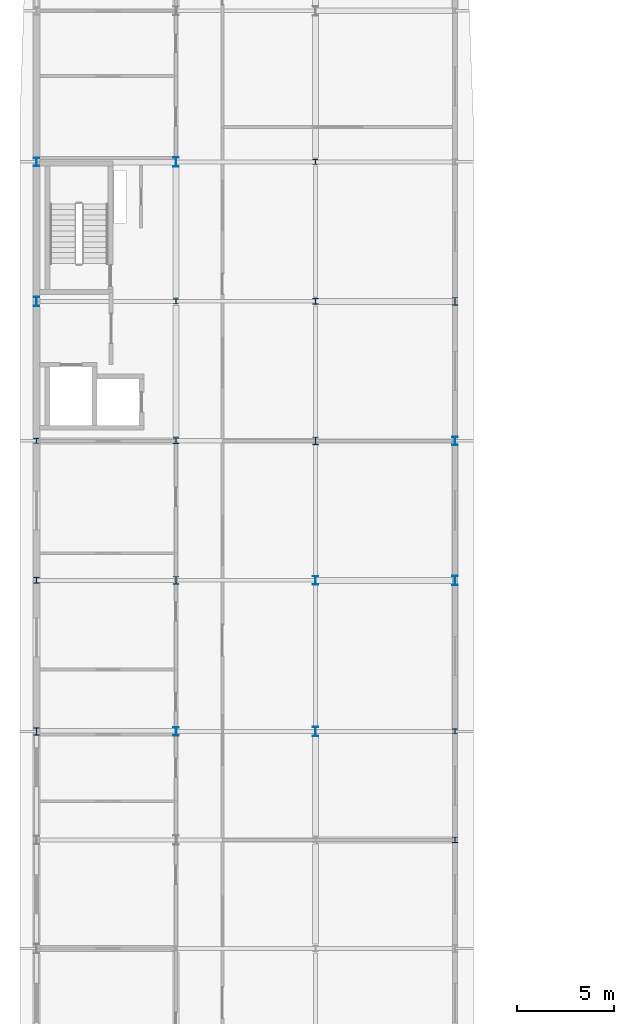
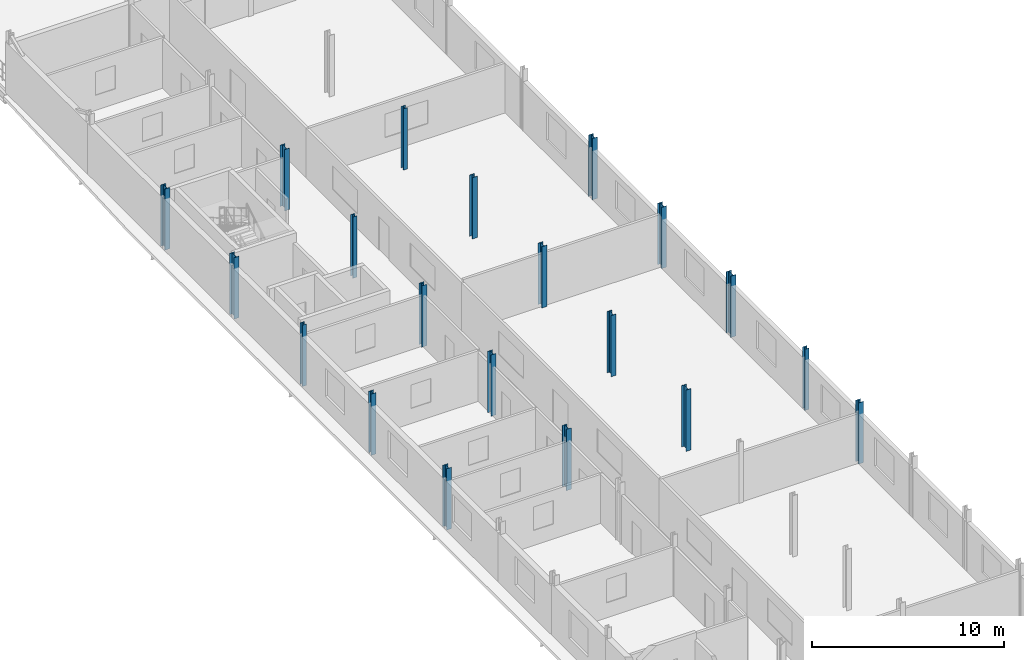
# One storey, part 2 of 17: 20 columns.
"""IFC4 building model written with IfcOpenShell, lengths in metres."""

from ifc_helpers import new_model, si_unit, direction, frame, origin, origin_2d, place, context, subcontext, project, spatial, i_section, extrude, material, material_profile, profile_set, type_object, element, save


model = new_model("IFC4")

# Units and contexts
model_context = context("Model", 3, precision=1e-05, world=origin(), true_north=direction((0.0, 1.0)))
body_context = subcontext(model_context, "Body", "Model", "MODEL_VIEW")
ifc_project = project(units=[si_unit("LENGTHUNIT", "METRE"), si_unit("AREAUNIT", "SQUARE_METRE"), si_unit("VOLUMEUNIT", "CUBIC_METRE"), si_unit("PLANEANGLEUNIT", "RADIAN"), si_unit("MASSUNIT", "GRAM", prefix="KILO")], contexts=[model_context])

# Site, building, storey
site_placement = place(None, origin())
site = spatial("IfcSite", under=ifc_project, at=site_placement, CompositionType="ELEMENT")
building_placement = place(site_placement, origin())
building = spatial("IfcBuilding", under=site, at=building_placement, Name="Vinh Khe Railworks Police Headquarters", CompositionType="ELEMENT")
storey_placement = place(building_placement, frame((0.0, 0.0, 24.89990234375)))
storey = spatial("IfcBuildingStorey", under=building, at=storey_placement, Name="L06", CompositionType="ELEMENT", Elevation=24.89990234375)

# Columns
ifc_material = material(Name="Steel S355JR", Category="steel")
ifc_material_profile_1 = material_profile(ifc_material, i_section(OverallWidth=0.300048828125, OverallDepth=0.389892578125, WebThickness=0.010986328125, FlangeThickness=0.01904296875, FilletRadius=0.027099609375, at=origin_2d()), Name="HEA 400")
ifc_profile_set_1 = profile_set([ifc_material_profile_1], Name="Steel S355JR")
column_type_1 = type_object("IfcColumnType", Name="Steel Column HEA 400", PredefinedType="COLUMN", material=ifc_profile_set_1)
for number, where, z_axis, x_axis, name in (
    (1, (0.60009765625, 58.800048828125, 0.0), (0.0, 0.0, 1.0), (1.0, 0.0, 0.0), "Column COL-L06-SC-15-0084"),
    (2, (7.800048828125, 66.60009765625, 0.0), (0.0, 0.0, 1.0), (1.0, 0.0, 0.0), "Column COL-L06-SC-15-0261"),
    (3, (15.0, 73.800048828125, 0.0), (0.0, 0.0, 1.0), (1.0, 0.0, 0.0), "Column COL-L06-SC-15-0438"),
    (4, (22.199951171875, 81.0, 0.0), (0.0, 0.0, 1.0), (1.0, 0.0, 0.0), "Column COL-L06-SC-15-0605"),
):
    element("IfcColumn", number, at=place(storey_placement, frame(where, z_axis=z_axis, x_axis=x_axis)), inside=storey, type_object=column_type_1, Name=name, PredefinedType="COLUMN", context=body_context, shape_type="SweptSolid", body=[
        extrude(i_section(OverallWidth=0.300048828125, OverallDepth=0.389892578125, WebThickness=0.010986328125, FlangeThickness=0.01904296875, FilletRadius=0.027099609375, at=origin_2d()), origin(), (0.0, 0.0, 1.0), 3.900146484375),
    ])
ifc_material_profile_2 = material_profile(ifc_material, i_section(OverallWidth=0.300048828125, OverallDepth=0.43994140625, WebThickness=0.011474609375, FlangeThickness=0.02099609375, FilletRadius=0.027099609375, at=origin_2d()), Name="HEA 450")
ifc_profile_set_2 = profile_set([ifc_material_profile_2], Name="Steel S355JR")
column_type_2 = type_object("IfcColumnType", Name="Steel Column HEA 450", PredefinedType="COLUMN", material=ifc_profile_set_2)
for number, where, z_axis, x_axis, name in (
    (5, (0.60009765625, 88.199951171875, 0.0), (0.0, 0.0, 1.0), (1.0, 0.0, 0.0), "Column COL-L06-SC-14-0124"),
    (6, (7.800048828125, 58.800048828125, 0.0), (0.0, 0.0, 1.0), (1.0, 0.0, 0.0), "Column COL-L06-SC-14-0251"),
    (7, (15.0, 66.60009765625, 0.0), (0.0, 0.0, 1.0), (1.0, 0.0, 0.0), "Column COL-L06-SC-14-0428"),
    (8, (22.199951171875, 73.800048828125, 0.0), (0.0, 0.0, 1.0), (1.0, 0.0, 0.0), "Column COL-L06-SC-14-0596"),
):
    element("IfcColumn", number, at=place(storey_placement, frame(where, z_axis=z_axis, x_axis=x_axis)), inside=storey, type_object=column_type_2, Name=name, PredefinedType="COLUMN", context=body_context, shape_type="SweptSolid", body=[
        extrude(i_section(OverallWidth=0.300048828125, OverallDepth=0.43994140625, WebThickness=0.011474609375, FlangeThickness=0.02099609375, FilletRadius=0.027099609375, at=origin_2d()), origin(), (0.0, 0.0, 1.0), 3.900146484375),
    ])
ifc_material_profile_3 = material_profile(ifc_material, i_section(OverallWidth=0.300048828125, OverallDepth=0.489990234375, WebThickness=0.011962890625, FlangeThickness=0.02294921875, FilletRadius=0.027099609375, at=origin_2d()), Name="HEA 500")
ifc_profile_set_3 = profile_set([ifc_material_profile_3], Name="Steel S355JR")
column_type_3 = type_object("IfcColumnType", Name="Steel Column HEA 500", PredefinedType="COLUMN", material=ifc_profile_set_3)
for number, where, z_axis, x_axis, name in (
    (9, (0.60009765625, 81.0, 0.0), (0.0, 0.0, 1.0), (1.0, 0.0, 0.0), "Column COL-L06-SC-13-0114"),
    (10, (7.800048828125, 88.199951171875, 0.0), (0.0, 0.0, 1.0), (1.0, 0.0, 0.0), "Column COL-L06-SC-13-0291"),
    (11, (15.0, 58.800048828125, 0.0), (0.0, 0.0, 1.0), (1.0, 0.0, 0.0), "Column COL-L06-SC-13-0418"),
    (12, (22.199951171875, 66.60009765625, 0.0), (0.0, 0.0, 1.0), (1.0, 0.0, 0.0), "Column COL-L06-SC-13-0587"),
):
    element("IfcColumn", number, at=place(storey_placement, frame(where, z_axis=z_axis, x_axis=x_axis)), inside=storey, type_object=column_type_3, Name=name, PredefinedType="COLUMN", context=body_context, shape_type="SweptSolid", body=[
        extrude(i_section(OverallWidth=0.300048828125, OverallDepth=0.489990234375, WebThickness=0.011962890625, FlangeThickness=0.02294921875, FilletRadius=0.027099609375, at=origin_2d()), origin(), (0.0, 0.0, 1.0), 3.900146484375),
    ])
ifc_material_profile_4 = material_profile(ifc_material, i_section(OverallWidth=0.260009765625, OverallDepth=0.260009765625, WebThickness=0.010009765625, FlangeThickness=0.017578125, FilletRadius=0.02392578125, at=origin_2d()), Name="HEB 260")
ifc_profile_set_4 = profile_set([ifc_material_profile_4], Name="Steel S355JR")
column_type_4 = type_object("IfcColumnType", Name="Steel Column HEB 260", PredefinedType="COLUMN", material=ifc_profile_set_4)
for number, where, z_axis, x_axis, name in (
    (13, (0.60009765625, 73.800048828125, 0.0), (0.0, 0.0, 1.0), (1.0, 0.0, 0.0), "Column COL-L06-SC-12-0104"),
    (14, (7.800048828125, 81.0, 0.0), (0.0, 0.0, 1.0), (1.0, 0.0, 0.0), "Column COL-L06-SC-12-0281"),
    (15, (15.0, 88.199951171875, 0.0), (0.0, 0.0, 1.0), (1.0, 0.0, 0.0), "Column COL-L06-SC-12-0458"),
    (16, (22.199951171875, 58.800048828125, 0.0), (0.0, 0.0, 1.0), (1.0, 0.0, 0.0), "Column COL-L06-SC-12-0578"),
):
    element("IfcColumn", number, at=place(storey_placement, frame(where, z_axis=z_axis, x_axis=x_axis)), inside=storey, type_object=column_type_4, Name=name, PredefinedType="COLUMN", context=body_context, shape_type="SweptSolid", body=[
        extrude(i_section(OverallWidth=0.260009765625, OverallDepth=0.260009765625, WebThickness=0.010009765625, FlangeThickness=0.017578125, FilletRadius=0.02392578125, at=origin_2d()), origin(), (0.0, 0.0, 1.0), 3.900146484375),
    ])
ifc_material_profile_5 = material_profile(ifc_material, i_section(OverallWidth=0.300048828125, OverallDepth=0.300048828125, WebThickness=0.010986328125, FlangeThickness=0.01904296875, FilletRadius=0.027099609375, at=origin_2d()), Name="HEB 300")
ifc_profile_set_5 = profile_set([ifc_material_profile_5], Name="Steel S355JR")
column_type_5 = type_object("IfcColumnType", Name="Steel Column HEB 300", PredefinedType="COLUMN", material=ifc_profile_set_5)
for number, where, z_axis, x_axis, name in (
    (17, (0.60009765625, 66.60009765625, 0.0), (0.0, 0.0, 1.0), (1.0, 0.0, 0.0), "Column COL-L06-SC-11-0094"),
    (18, (7.800048828125, 73.800048828125, 0.0), (0.0, 0.0, 1.0), (1.0, 0.0, 0.0), "Column COL-L06-SC-11-0271"),
    (19, (15.0, 81.0, 0.0), (0.0, 0.0, 1.0), (1.0, 0.0, 0.0), "Column COL-L06-SC-11-0448"),
    (20, (22.199951171875, 53.199951171875, 0.0), (0.0, 0.0, 1.0), (1.0, 0.0, 0.0), "Column COL-L06-SC-11-0569"),
):
    element("IfcColumn", number, at=place(storey_placement, frame(where, z_axis=z_axis, x_axis=x_axis)), inside=storey, type_object=column_type_5, Name=name, PredefinedType="COLUMN", context=body_context, shape_type="SweptSolid", body=[
        extrude(i_section(OverallWidth=0.300048828125, OverallDepth=0.300048828125, WebThickness=0.010986328125, FlangeThickness=0.01904296875, FilletRadius=0.027099609375, at=origin_2d()), origin(), (0.0, 0.0, 1.0), 3.900146484375),
    ])

save(model, "model.ifc")
